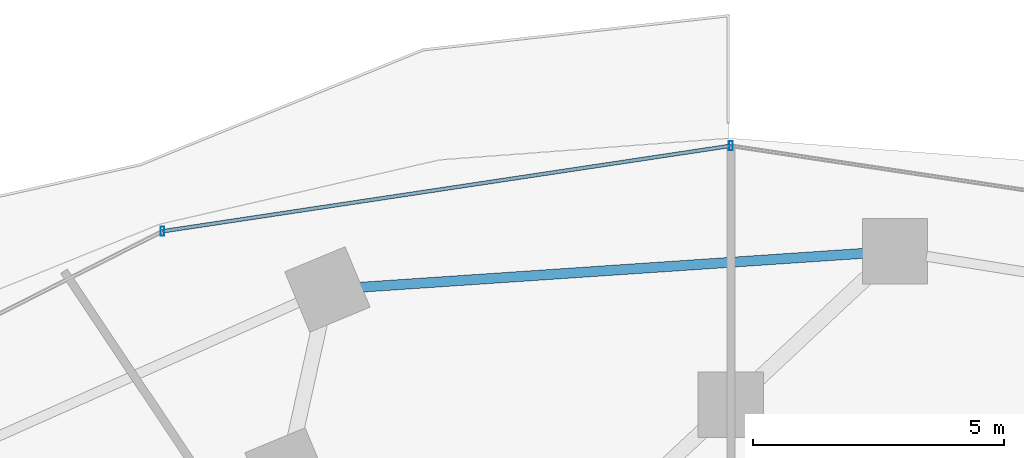
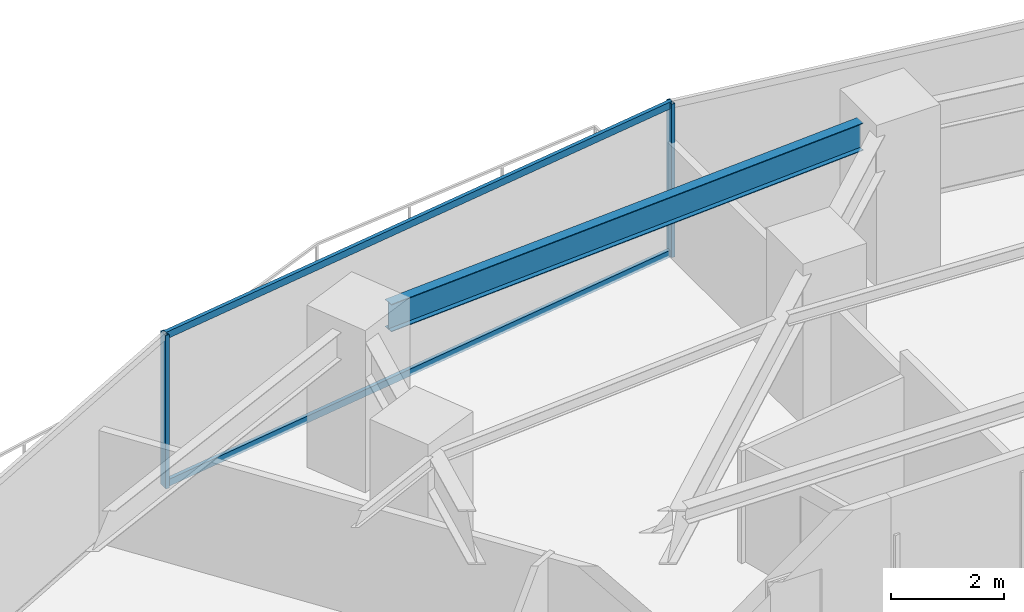
# One storey, part 22 of 35: 4 members, 1 beam, 1 element without a shape of its own.
"""IFC4 building model written with IfcOpenShell, lengths in metres."""

from ifc_helpers import new_model, si_unit, direction, frame, origin, origin_2d, place, context, subcontext, project, spatial, hollow_rectangle, i_section, extrude, material, material_profile, profile_set, type_object, element, aggregate, save


model = new_model("IFC4")

# Units and contexts
model_context = context("Model", 3, precision=1e-05, world=origin(), true_north=direction((0.0, 1.0)))
body_context = subcontext(model_context, "Body", "Model", "MODEL_VIEW")
ifc_project = project(units=[si_unit("LENGTHUNIT", "METRE"), si_unit("AREAUNIT", "SQUARE_METRE"), si_unit("VOLUMEUNIT", "CUBIC_METRE"), si_unit("PLANEANGLEUNIT", "RADIAN"), si_unit("MASSUNIT", "GRAM", prefix="KILO")], contexts=[model_context])

# Site, building, storey
site_placement = place(None, origin())
site = spatial("IfcSite", under=ifc_project, at=site_placement, CompositionType="ELEMENT")
building_placement = place(site_placement, origin())
building = spatial("IfcBuilding", under=site, at=building_placement, Name="Vorneva Point Tower", CompositionType="ELEMENT")
storey_placement = place(building_placement, frame((0.0, 0.0, 45.0)))
storey = spatial("IfcBuildingStorey", under=building, at=storey_placement, Name="L11", CompositionType="ELEMENT", Elevation=45.0)

# Beam
ifc_material_1 = material(Name="Steel S355", Category="steel")
ifc_material_profile_1 = material_profile(ifc_material_1, i_section(OverallWidth=0.198974609375, OverallDepth=0.595947265625, WebThickness=0.010009765625, FlangeThickness=0.014892578125, at=origin_2d()), Name="60B1")
ifc_profile_set_1 = profile_set([ifc_material_profile_1], Name="Steel S355")
beam_type = type_object("IfcBeamType", Name="BM-SPN-60B1", PredefinedType="SPANDREL", material=ifc_profile_set_1)
beam_placement = place(storey_placement, frame((40.631591796875, 46.209716796875, 2.94189453125), z_axis=(-0.997736943545, -0.067238318585, 0.0), x_axis=(0.067238318585, -0.997736943545, 0.0)))
element("IfcBeam", 1, at=beam_placement, inside=storey, type_object=beam_type, Name="L11 Perimeter Spandrel Ring Beam 05", PredefinedType="SPANDREL", context=body_context, shape_type="SweptSolid", body=[
    extrude(i_section(OverallWidth=0.198974609375, OverallDepth=0.595947265625, WebThickness=0.010009765625, FlangeThickness=0.014892578125, at=origin_2d()), origin(), (0.0, 0.0, 1.0), 10.046875),
])

# Curtain wall, members
ifc_material_2 = material(Name="Pale anodised aluminium", Category="aluminium")
curtain_wall_type = type_object("IfcCurtainWallType", Name="CW-HTL-SYS", PredefinedType="NOTDEFINED", material=ifc_material_2)
curtain_wall_placement = place(storey_placement, origin())
curtain_wall = element("IfcCurtainWall", 2, at=curtain_wall_placement, inside=storey, type_object=curtain_wall_type, Name="L11 Unitised Curtain Wall CW-L11-R02", PredefinedType="NOTDEFINED")
ifc_material_profile_2 = material_profile(ifc_material_2, hollow_rectangle(XDim=0.074951171875, YDim=0.179931640625, WallThickness=0.00390625, at=origin_2d()), Name="AL-MUL 180x75x4")
ifc_profile_set_2 = profile_set([ifc_material_profile_2], Name="Pale anodised aluminium")
member_type_1 = type_object("IfcMemberType", Name="CW-MUL-180", PredefinedType="MULLION", material=ifc_profile_set_2)
member_1_placement = place(storey_placement, frame((38.0, 48.35009765625, -0.0400390625), z_axis=(0.0, 0.0, 1.0), x_axis=(1.0, 0.0, 0.0)))
member_1 = element("IfcMember", 3, at=member_1_placement, type_object=member_type_1, Name="CW-L11-R02 Mullion 03", PredefinedType="MULLION", context=body_context, shape_type="SweptSolid", body=[
    extrude(hollow_rectangle(XDim=0.074951171875, YDim=0.179931640625, WallThickness=0.00390625, at=origin_2d()), origin(), (0.0, 0.0, 1.0), 3.31005859375),
])
member_2_placement = place(storey_placement, frame((26.691650390625, 46.648681640625, -0.0400390625), z_axis=(0.0, 0.0, 1.0), x_axis=(1.0, 0.0, 0.0)))
member_2 = element("IfcMember", 4, at=member_2_placement, type_object=member_type_1, Name="CW-L11-R02 Mullion 04", PredefinedType="MULLION", context=body_context, shape_type="SweptSolid", body=[
    extrude(hollow_rectangle(XDim=0.074951171875, YDim=0.179931640625, WallThickness=0.00390625, at=origin_2d()), origin(), (0.0, 0.0, 1.0), 3.31005859375),
])
ifc_material_profile_3 = material_profile(ifc_material_2, hollow_rectangle(XDim=0.074951171875, YDim=0.14990234375, WallThickness=0.00390625, at=origin_2d()), Name="AL-TRN 150x75x4")
ifc_profile_set_3 = profile_set([ifc_material_profile_3], Name="Pale anodised aluminium")
member_type_2 = type_object("IfcMemberType", Name="CW-TRN-150", PredefinedType="USERDEFINED", material=ifc_profile_set_3)
member_3_placement = place(storey_placement, frame((38.0, 48.35009765625, 0.02001953125), z_axis=(-0.988870014575, -0.148782036131, 0.0), x_axis=(0.148782036131, -0.988870014575, 0.0)))
member_3 = element("IfcMember", 5, at=member_3_placement, type_object=member_type_2, Name="CW-L11-R02 Transom 03.1", ObjectType="TRANSOM", PredefinedType="USERDEFINED", context=body_context, shape_type="SweptSolid", body=[
    extrude(hollow_rectangle(XDim=0.074951171875, YDim=0.14990234375, WallThickness=0.00390625, at=origin_2d()), origin(), (0.0, 0.0, 1.0), 11.435546875),
])
member_4_placement = place(storey_placement, frame((38.0, 48.35009765625, 3.219970703125), z_axis=(-0.988870014575, -0.148782036131, 0.0), x_axis=(0.148782036131, -0.988870014575, 0.0)))
member_4 = element("IfcMember", 6, at=member_4_placement, type_object=member_type_2, Name="CW-L11-R02 Transom 03.2", ObjectType="TRANSOM", PredefinedType="USERDEFINED", context=body_context, shape_type="SweptSolid", body=[
    extrude(hollow_rectangle(XDim=0.074951171875, YDim=0.14990234375, WallThickness=0.00390625, at=origin_2d()), origin(), (0.0, 0.0, 1.0), 11.435546875),
])
aggregate(curtain_wall, [member_1, member_2, member_3, member_4])

save(model, "model.ifc")
